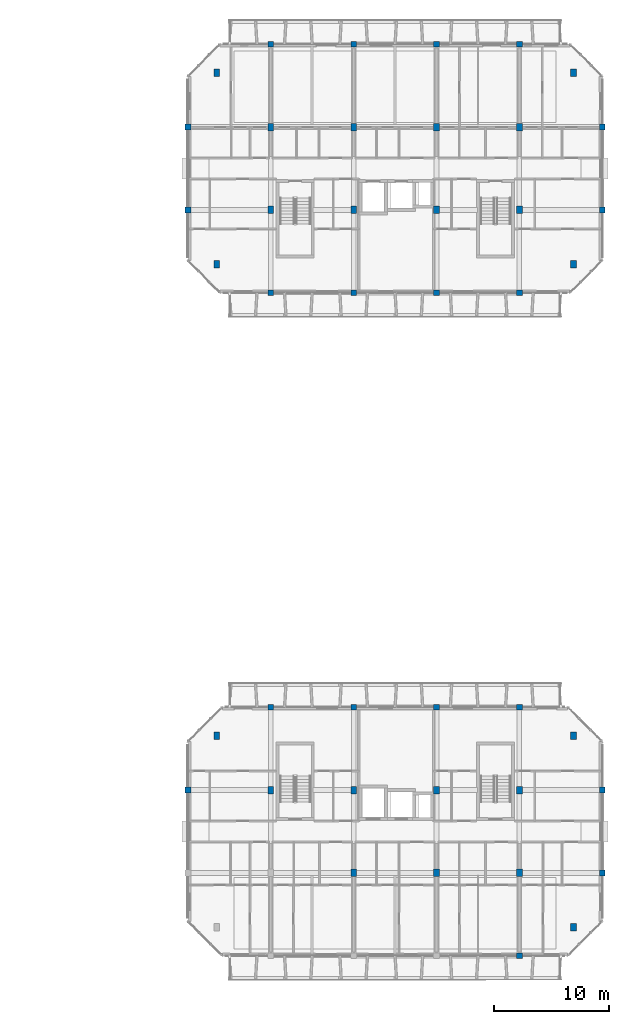
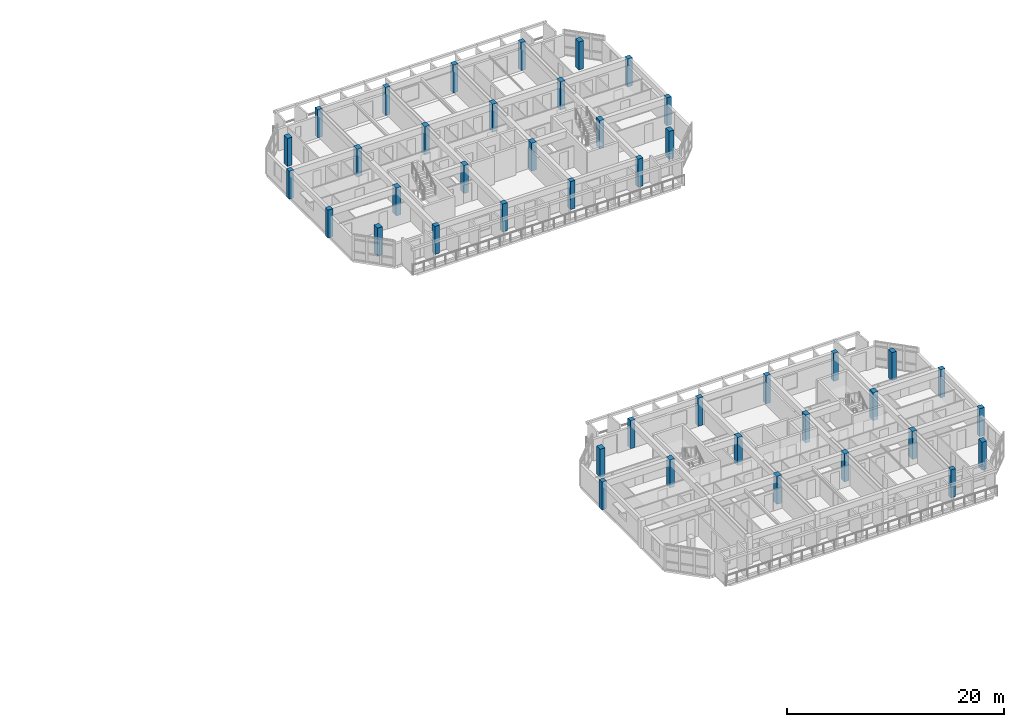
# One storey, part 2 of 45: 42 columns.
"""IFC4 building model written with IfcOpenShell, lengths in metres."""

from ifc_helpers import new_model, si_unit, direction, frame, origin, origin_2d, place, context, subcontext, project, spatial, rectangle, extrude, material, material_profile, profile_set, type_object, element, save


model = new_model("IFC4")

# Units and contexts
model_context = context("Model", 3, precision=1e-05, world=origin(), true_north=direction((0.0, 1.0)))
body_context = subcontext(model_context, "Body", "Model", "MODEL_VIEW")
ifc_project = project(units=[si_unit("LENGTHUNIT", "METRE"), si_unit("AREAUNIT", "SQUARE_METRE"), si_unit("VOLUMEUNIT", "CUBIC_METRE"), si_unit("PLANEANGLEUNIT", "RADIAN"), si_unit("MASSUNIT", "GRAM", prefix="KILO")], contexts=[model_context])

# Site, building, storey
site_placement = place(None, origin())
site = spatial("IfcSite", under=ifc_project, at=site_placement, CompositionType="ELEMENT")
building_placement = place(site_placement, origin())
building = spatial("IfcBuilding", under=site, at=building_placement, Name="Ochrevale Crest", CompositionType="ELEMENT")
storey_placement = place(building_placement, frame((0.0, 0.0, 18.14990234375)))
storey = spatial("IfcBuildingStorey", under=building, at=storey_placement, Name="L05", CompositionType="ELEMENT", Elevation=18.14990234375)

# Columns
ifc_material = material(Name="Precast concrete C50/60", Category="concrete")
ifc_material_profile_1 = material_profile(ifc_material, rectangle(XDim=0.5, YDim=0.5, at=origin_2d()), Name="RC 500x500")
ifc_profile_set_1 = profile_set([ifc_material_profile_1], Name="Precast concrete C50/60")
column_type_1 = type_object("IfcColumnType", Name="COL-RC500x500", PredefinedType="COLUMN", material=ifc_profile_set_1)
for number, where, z_axis, x_axis, name in (
    (1, (129.60009765625, 28.800048828125, 0.0), (0.0, 0.0, 1.0), (1.0, 0.0, 0.0), "Block C L05 column (129.6,28.8)"),
    (2, (136.800048828125, 36.0, 0.0), (0.0, 0.0, 1.0), (1.0, 0.0, 0.0), "Block C L05 column (136.8,36.0)"),
    (3, (144.0, 36.0, 0.0), (0.0, 0.0, 1.0), (1.0, 0.0, 0.0), "Block C L05 column (144.0,36.0)"),
    (4, (151.199951171875, 36.0, 0.0), (0.0, 0.0, 1.0), (1.0, 0.0, 0.0), "Block C L05 column (151.2,36.0)"),
    (5, (158.39990234375, 14.39990234375, 0.0), (0.0, 0.0, 1.0), (1.0, 0.0, 0.0), "Block C L05 column (158.4,14.4)"),
    (6, (158.39990234375, 36.0, 0.0), (0.0, 0.0, 1.0), (1.0, 0.0, 0.0), "Block C L05 column (158.4,36.0)"),
    (7, (165.60009765625, 21.60009765625, 0.0), (0.0, 0.0, 1.0), (1.0, 0.0, 0.0), "Block C L05 column (165.6,21.6)"),
    (8, (165.60009765625, 28.800048828125, 0.0), (0.0, 0.0, 1.0), (1.0, 0.0, 0.0), "Block C L05 column (165.6,28.8)"),
    (9, (129.60009765625, 79.199951171875, 0.0), (0.0, 0.0, 1.0), (1.0, 0.0, 0.0), "Block D L05 column (129.6,79.2)"),
    (10, (129.60009765625, 86.39990234375, 0.0), (0.0, 0.0, 1.0), (1.0, 0.0, 0.0), "Block D L05 column (129.6,86.4)"),
    (11, (136.800048828125, 72.0, 0.0), (0.0, 0.0, 1.0), (1.0, 0.0, 0.0), "Block D L05 column (136.8,72.0)"),
    (12, (136.800048828125, 93.60009765625, 0.0), (0.0, 0.0, 1.0), (1.0, 0.0, 0.0), "Block D L05 column (136.8,93.6)"),
    (13, (144.0, 72.0, 0.0), (0.0, 0.0, 1.0), (1.0, 0.0, 0.0), "Block D L05 column (144.0,72.0)"),
    (14, (144.0, 93.60009765625, 0.0), (0.0, 0.0, 1.0), (1.0, 0.0, 0.0), "Block D L05 column (144.0,93.6)"),
    (15, (151.199951171875, 72.0, 0.0), (0.0, 0.0, 1.0), (1.0, 0.0, 0.0), "Block D L05 column (151.2,72.0)"),
    (16, (151.199951171875, 93.60009765625, 0.0), (0.0, 0.0, 1.0), (1.0, 0.0, 0.0), "Block D L05 column (151.2,93.6)"),
    (17, (158.39990234375, 72.0, 0.0), (0.0, 0.0, 1.0), (1.0, 0.0, 0.0), "Block D L05 column (158.4,72.0)"),
    (18, (158.39990234375, 93.60009765625, 0.0), (0.0, 0.0, 1.0), (1.0, 0.0, 0.0), "Block D L05 column (158.4,93.6)"),
    (19, (165.60009765625, 79.199951171875, 0.0), (0.0, 0.0, 1.0), (1.0, 0.0, 0.0), "Block D L05 column (165.6,79.2)"),
    (20, (165.60009765625, 86.39990234375, 0.0), (0.0, 0.0, 1.0), (1.0, 0.0, 0.0), "Block D L05 column (165.6,86.4)"),
):
    element("IfcColumn", number, at=place(storey_placement, frame(where, z_axis=z_axis, x_axis=x_axis)), inside=storey, type_object=column_type_1, Name=name, PredefinedType="COLUMN", context=body_context, shape_type="SweptSolid", body=[
        extrude(rectangle(XDim=0.5, YDim=0.5, at=origin_2d()), origin(), (0.0, 0.0, 1.0), 3.150146484375),
    ])
ifc_material_profile_2 = material_profile(ifc_material, rectangle(XDim=0.5, YDim=0.64990234375, at=origin_2d()), Name="RC 500x650")
ifc_profile_set_2 = profile_set([ifc_material_profile_2], Name="Precast concrete C50/60")
column_type_2 = type_object("IfcColumnType", Name="COL-RC500x650", PredefinedType="COLUMN", material=ifc_profile_set_2)
for number, where, z_axis, x_axis, name in (
    (21, (132.10009765625, 33.5, 0.0), (0.0, 0.0, 1.0), (1.0, 0.0, 0.0), "Block C L05 column (132.1,33.5)"),
    (22, (136.800048828125, 28.800048828125, 0.0), (0.0, 0.0, 1.0), (1.0, 0.0, 0.0), "Block C L05 column (136.8,28.8)"),
    (23, (144.0, 21.60009765625, 0.0), (0.0, 0.0, 1.0), (1.0, 0.0, 0.0), "Block C L05 column (144.0,21.6)"),
    (24, (144.0, 28.800048828125, 0.0), (0.0, 0.0, 1.0), (1.0, 0.0, 0.0), "Block C L05 column (144.0,28.8)"),
    (25, (151.199951171875, 21.60009765625, 0.0), (0.0, 0.0, 1.0), (1.0, 0.0, 0.0), "Block C L05 column (151.2,21.6)"),
    (26, (151.199951171875, 28.800048828125, 0.0), (0.0, 0.0, 1.0), (1.0, 0.0, 0.0), "Block C L05 column (151.2,28.8)"),
    (27, (158.39990234375, 21.60009765625, 0.0), (0.0, 0.0, 1.0), (1.0, 0.0, 0.0), "Block C L05 column (158.4,21.6)"),
    (28, (158.39990234375, 28.800048828125, 0.0), (0.0, 0.0, 1.0), (1.0, 0.0, 0.0), "Block C L05 column (158.4,28.8)"),
    (29, (163.10009765625, 16.89990234375, 0.0), (0.0, 0.0, 1.0), (1.0, 0.0, 0.0), "Block C L05 column (163.1,16.9)"),
    (30, (163.10009765625, 33.5, 0.0), (0.0, 0.0, 1.0), (1.0, 0.0, 0.0), "Block C L05 column (163.1,33.5)"),
    (31, (132.10009765625, 74.5, 0.0), (0.0, 0.0, 1.0), (1.0, 0.0, 0.0), "Block D L05 column (132.1,74.5)"),
    (32, (132.10009765625, 91.10009765625, 0.0), (0.0, 0.0, 1.0), (1.0, 0.0, 0.0), "Block D L05 column (132.1,91.1)"),
    (33, (136.800048828125, 79.199951171875, 0.0), (0.0, 0.0, 1.0), (1.0, 0.0, 0.0), "Block D L05 column (136.8,79.2)"),
    (34, (136.800048828125, 86.39990234375, 0.0), (0.0, 0.0, 1.0), (1.0, 0.0, 0.0), "Block D L05 column (136.8,86.4)"),
    (35, (144.0, 79.199951171875, 0.0), (0.0, 0.0, 1.0), (1.0, 0.0, 0.0), "Block D L05 column (144.0,79.2)"),
    (36, (144.0, 86.39990234375, 0.0), (0.0, 0.0, 1.0), (1.0, 0.0, 0.0), "Block D L05 column (144.0,86.4)"),
    (37, (151.199951171875, 79.199951171875, 0.0), (0.0, 0.0, 1.0), (1.0, 0.0, 0.0), "Block D L05 column (151.2,79.2)"),
    (38, (151.199951171875, 86.39990234375, 0.0), (0.0, 0.0, 1.0), (1.0, 0.0, 0.0), "Block D L05 column (151.2,86.4)"),
    (39, (158.39990234375, 79.199951171875, 0.0), (0.0, 0.0, 1.0), (1.0, 0.0, 0.0), "Block D L05 column (158.4,79.2)"),
    (40, (158.39990234375, 86.39990234375, 0.0), (0.0, 0.0, 1.0), (1.0, 0.0, 0.0), "Block D L05 column (158.4,86.4)"),
    (41, (163.10009765625, 74.5, 0.0), (0.0, 0.0, 1.0), (1.0, 0.0, 0.0), "Block D L05 column (163.1,74.5)"),
    (42, (163.10009765625, 91.10009765625, 0.0), (0.0, 0.0, 1.0), (1.0, 0.0, 0.0), "Block D L05 column (163.1,91.1)"),
):
    element("IfcColumn", number, at=place(storey_placement, frame(where, z_axis=z_axis, x_axis=x_axis)), inside=storey, type_object=column_type_2, Name=name, PredefinedType="COLUMN", context=body_context, shape_type="SweptSolid", body=[
        extrude(rectangle(XDim=0.5, YDim=0.64990234375, at=origin_2d()), origin(), (0.0, 0.0, 1.0), 3.150146484375),
    ])

save(model, "model.ifc")
